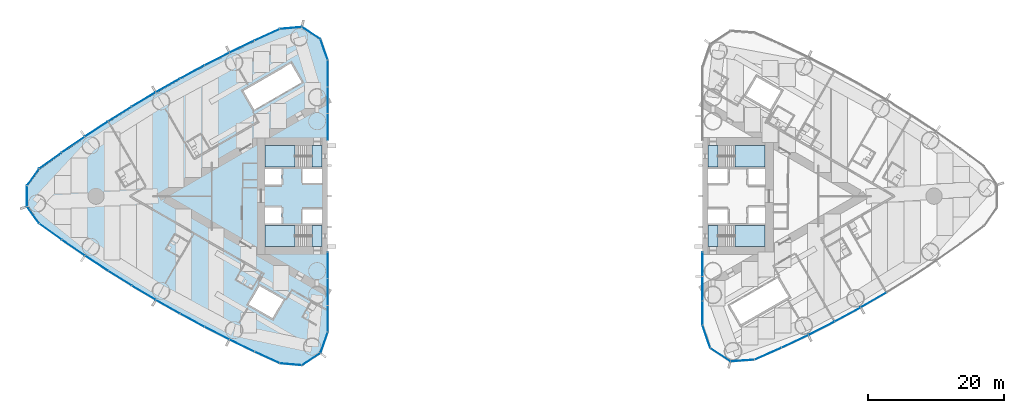
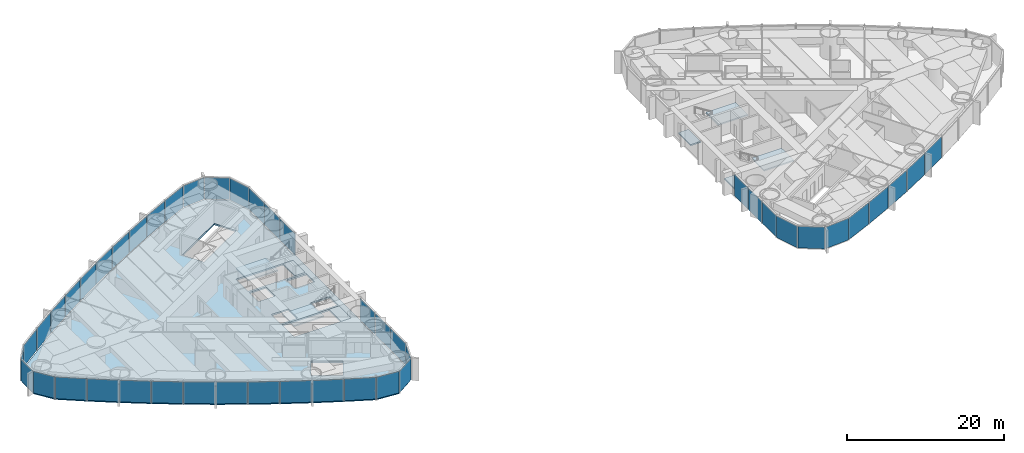
# One storey, part 9 of 19: 46 plates, 9 slabs, 6 elements without a shape of their own.
"""IFC4 building model written with IfcOpenShell, lengths in metres."""

from ifc_helpers import new_model, si_unit, direction, frame, origin, origin_2d, place, context, subcontext, project, spatial, polyline, rectangle, outline, extrude, material, layer, layer_set, type_object, element, aggregate, save


model = new_model("IFC4")

# Units and contexts
model_context = context("Model", 3, precision=1e-05, world=origin(), true_north=direction((0.0, 1.0)))
body_context = subcontext(model_context, "Body", "Model", "MODEL_VIEW")
ifc_project = project(units=[si_unit("LENGTHUNIT", "METRE"), si_unit("AREAUNIT", "SQUARE_METRE"), si_unit("VOLUMEUNIT", "CUBIC_METRE"), si_unit("PLANEANGLEUNIT", "RADIAN"), si_unit("MASSUNIT", "GRAM", prefix="KILO")], contexts=[model_context])

# Site, building, storey
site_placement = place(None, origin())
site = spatial("IfcSite", under=ifc_project, at=site_placement, CompositionType="ELEMENT")
building_placement = place(site_placement, origin())
building = spatial("IfcBuilding", under=site, at=building_placement, Name="Lancet Gate Hotel", CompositionType="ELEMENT")
storey_placement = place(building_placement, frame((0.0, 0.0, 122.10009765625)))
storey = spatial("IfcBuildingStorey", under=building, at=storey_placement, Name="L32", CompositionType="ELEMENT", Elevation=122.10009765625)

# Slab
ifc_material_1 = material(Name="Concrete C50/60", Category="concrete")
ifc_layer_1 = layer(ifc_material_1, 0.25)
ifc_layer_set_1 = layer_set([ifc_layer_1], Name="Floor slab 250")
slab_type_1 = type_object("IfcSlabType", Name="Floor slab 250", PredefinedType="FLOOR", material=ifc_layer_set_1)
slab_1_placement = place(storey_placement, frame((0.0, 0.0, -0.25)))
element("IfcSlab", 1, at=slab_1_placement, inside=storey, type_object=slab_type_1, Name="T1 L32 floor slab", PredefinedType="FLOOR", context=body_context, shape_type="SweptSolid", body=[
    extrude(outline(polyline([(-27.5, 8.60009765625), (-27.6201171875, 8.60009765625), (-27.6201171875, 19.950927734375), (-28.65966796875, 22.970947265625), (-31.320068359375, 24.69921875), (-34.5009765625, 24.421630859375), (-38.201416015625, 22.727783203125), (-41.8818359375, 20.946044921875), (-45.523193359375, 19.085693359375), (-49.12353515625, 17.147216796875), (-52.681396484375, 15.131591796875), (-56.195068359375, 13.0400390625), (-59.662841796875, 10.873291015625), (-63.0830078125, 8.63232421875), (-66.454345703125, 6.318115234375), (-69.76025390625, 3.94287109375), (-71.523193359375, 1.49755859375), (-71.523193359375, -1.49755859375), (-69.76025390625, -3.94287109375), (-66.454345703125, -6.318115234375), (-63.0830078125, -8.63232421875), (-59.662841796875, -10.873291015625), (-56.195068359375, -13.0400390625), (-52.681396484375, -15.131591796875), (-49.12353515625, -17.147216796875), (-45.523193359375, -19.085693359375), (-41.8818359375, -20.946044921875), (-38.201416015625, -22.727783203125), (-34.5009765625, -24.421630859375), (-31.320068359375, -24.69921875), (-28.65966796875, -22.970947265625), (-27.6201171875, -19.950927734375), (-27.6201171875, -8.60009765625), (-27.5, -8.60009765625), (-27.5, -8.199951171875), (-27.5, 8.199951171875), (-27.5, 8.60009765625)]), holes=[polyline([(-36.699951171875, 7.39990234375), (-36.699951171875, 4.300048828125), (-28.300048828125, 4.300048828125), (-28.300048828125, 7.39990234375), (-36.699951171875, 7.39990234375)]), polyline([(-28.300048828125, 4.0), (-31.199951171875, 4.0), (-31.199951171875, 1.89990234375), (-28.300048828125, 1.89990234375), (-28.300048828125, 4.0)]), polyline([(-34.25, 4.0), (-36.699951171875, 4.0), (-36.699951171875, 1.64990234375), (-34.25, 1.64990234375), (-34.25, 4.0)]), polyline([(-36.699951171875, -1.64990234375), (-36.699951171875, -4.0), (-34.25, -4.0), (-34.25, -1.64990234375), (-36.699951171875, -1.64990234375)]), polyline([(-28.300048828125, -1.89990234375), (-31.199951171875, -1.89990234375), (-31.199951171875, -4.0), (-28.300048828125, -4.0), (-28.300048828125, -1.89990234375)]), polyline([(-28.300048828125, -4.300048828125), (-36.699951171875, -4.300048828125), (-36.699951171875, -7.39990234375), (-28.300048828125, -7.39990234375), (-28.300048828125, -4.300048828125)]), polyline([(-31.2900390625, 16.73095703125), (-32.889892578125, 19.501953125), (-39.904052734375, 15.451904296875), (-38.303955078125, 12.680908203125), (-31.2900390625, 16.73095703125)]), polyline([(-33.97412109375, -15.180908203125), (-37.52490234375, -13.131103515625), (-39.125, -15.902099609375), (-35.573974609375, -17.951904296875), (-33.97412109375, -15.180908203125)])]), origin(), (0.0, 0.0, 1.0), 0.25),
])

# Stair, slabs
ifc_material_2 = material(Name="Exit stair 20 risers 1500")
stair_type = type_object("IfcStairType", Name="Exit stair 20 risers 1500", PredefinedType="HALF_TURN_STAIR", material=ifc_material_2)
stair_1_placement = place(storey_placement, origin())
stair_1 = element("IfcStair", 2, at=stair_1_placement, inside=storey, type_object=stair_type, Name="T1 stair 1 L32", PredefinedType="HALF_TURN_STAIR")
ifc_material_3 = material(Name="Concrete C40/50", Category="concrete")
ifc_layer_2 = layer(ifc_material_3, 0.199951171875)
ifc_layer_set_2 = layer_set([ifc_layer_2], Name="Stair landing 200")
slab_type_2 = type_object("IfcSlabType", Name="Stair landing 200", PredefinedType="LANDING", material=ifc_layer_set_2)
slab_2_placement = place(storey_placement, frame((0.0, 0.0, -0.2001953125)))
slab_2 = element("IfcSlab", 3, at=slab_2_placement, type_object=slab_type_2, Name="ST1 landing 1", PredefinedType="LANDING", context=body_context, shape_type="SweptSolid", body=[
    extrude(outline(polyline([(-28.300048828125, 7.39990234375), (-29.800048828125, 7.39990234375), (-29.800048828125, 4.300048828125), (-28.300048828125, 4.300048828125), (-28.300048828125, 7.39990234375)])), origin(), (0.0, 0.0, 1.0), 0.2001953125),
])
slab_3_placement = place(storey_placement, frame((0.0, 0.0, 1.5498046875)))
slab_3 = element("IfcSlab", 4, at=slab_3_placement, type_object=slab_type_2, Name="ST1 landing 2", PredefinedType="LANDING", context=body_context, shape_type="SweptSolid", body=[
    extrude(outline(polyline([(-32.320068359375, 7.39990234375), (-36.699951171875, 7.39990234375), (-36.699951171875, 4.300048828125), (-32.320068359375, 4.300048828125), (-32.320068359375, 7.39990234375)])), origin(), (0.0, 0.0, 1.0), 0.2001953125),
])
aggregate(stair_1, [slab_2, slab_3])

stair_2_placement = place(storey_placement, origin())
stair_2 = element("IfcStair", 5, at=stair_2_placement, inside=storey, type_object=stair_type, Name="T1 stair 2 L32", PredefinedType="HALF_TURN_STAIR")
slab_4_placement = place(storey_placement, frame((0.0, 0.0, -0.2001953125)))
slab_4 = element("IfcSlab", 6, at=slab_4_placement, type_object=slab_type_2, Name="ST2 landing 1", PredefinedType="LANDING", context=body_context, shape_type="SweptSolid", body=[
    extrude(outline(polyline([(-28.300048828125, -4.300048828125), (-29.800048828125, -4.300048828125), (-29.800048828125, -7.39990234375), (-28.300048828125, -7.39990234375), (-28.300048828125, -4.300048828125)])), origin(), (0.0, 0.0, 1.0), 0.2001953125),
])
slab_5_placement = place(storey_placement, frame((0.0, 0.0, 1.5498046875)))
slab_5 = element("IfcSlab", 7, at=slab_5_placement, type_object=slab_type_2, Name="ST2 landing 2", PredefinedType="LANDING", context=body_context, shape_type="SweptSolid", body=[
    extrude(outline(polyline([(-32.320068359375, -4.300048828125), (-36.699951171875, -4.300048828125), (-36.699951171875, -7.39990234375), (-32.320068359375, -7.39990234375), (-32.320068359375, -4.300048828125)])), origin(), (0.0, 0.0, 1.0), 0.2001953125),
])
aggregate(stair_2, [slab_4, slab_5])

stair_3_placement = place(storey_placement, origin())
stair_3 = element("IfcStair", 8, at=stair_3_placement, inside=storey, type_object=stair_type, Name="T2 stair 1 L32", PredefinedType="HALF_TURN_STAIR")
slab_6_placement = place(storey_placement, frame((0.0, 0.0, -0.2001953125)))
slab_6 = element("IfcSlab", 9, at=slab_6_placement, type_object=slab_type_2, Name="ST3 landing 1", PredefinedType="LANDING", context=body_context, shape_type="SweptSolid", body=[
    extrude(outline(polyline([(28.300048828125, -7.39990234375), (29.800048828125, -7.39990234375), (29.800048828125, -4.300048828125), (28.300048828125, -4.300048828125), (28.300048828125, -7.39990234375)])), origin(), (0.0, 0.0, 1.0), 0.2001953125),
])
slab_7_placement = place(storey_placement, frame((0.0, 0.0, 1.5498046875)))
slab_7 = element("IfcSlab", 10, at=slab_7_placement, type_object=slab_type_2, Name="ST3 landing 2", PredefinedType="LANDING", context=body_context, shape_type="SweptSolid", body=[
    extrude(outline(polyline([(32.320068359375, -7.39990234375), (36.699951171875, -7.39990234375), (36.699951171875, -4.300048828125), (32.320068359375, -4.300048828125), (32.320068359375, -7.39990234375)])), origin(), (0.0, 0.0, 1.0), 0.2001953125),
])
aggregate(stair_3, [slab_6, slab_7])

stair_4_placement = place(storey_placement, origin())
stair_4 = element("IfcStair", 11, at=stair_4_placement, inside=storey, type_object=stair_type, Name="T2 stair 2 L32", PredefinedType="HALF_TURN_STAIR")
slab_8_placement = place(storey_placement, frame((0.0, 0.0, -0.2001953125)))
slab_8 = element("IfcSlab", 12, at=slab_8_placement, type_object=slab_type_2, Name="ST4 landing 1", PredefinedType="LANDING", context=body_context, shape_type="SweptSolid", body=[
    extrude(outline(polyline([(28.300048828125, 4.300048828125), (29.800048828125, 4.300048828125), (29.800048828125, 7.39990234375), (28.300048828125, 7.39990234375), (28.300048828125, 4.300048828125)])), origin(), (0.0, 0.0, 1.0), 0.2001953125),
])
slab_9_placement = place(storey_placement, frame((0.0, 0.0, 1.5498046875)))
slab_9 = element("IfcSlab", 13, at=slab_9_placement, type_object=slab_type_2, Name="ST4 landing 2", PredefinedType="LANDING", context=body_context, shape_type="SweptSolid", body=[
    extrude(outline(polyline([(32.320068359375, 4.300048828125), (36.699951171875, 4.300048828125), (36.699951171875, 7.39990234375), (32.320068359375, 7.39990234375), (32.320068359375, 4.300048828125)])), origin(), (0.0, 0.0, 1.0), 0.2001953125),
])
aggregate(stair_4, [slab_8, slab_9])

# Curtain wall, plates
ifc_material_4 = material(Name="Aluminium curtain wall", Category="aluminium")
curtain_wall_type = type_object("IfcCurtainWallType", Name="Tower unitised curtain wall", PredefinedType="USERDEFINED", material=ifc_material_4)
curtain_wall_1_placement = place(storey_placement, origin())
curtain_wall_1 = element("IfcCurtainWall", 14, at=curtain_wall_1_placement, inside=storey, type_object=curtain_wall_type, Name="T1 L32 curtain wall 1", ObjectType="UNITISED CURTAIN WALL", PredefinedType="USERDEFINED")
ifc_material_5 = material(Name="Glass double glazed unit 8-16-6", Category="glass")
ifc_layer_3 = layer(ifc_material_5, 0.030029296875)
ifc_layer_set_3 = layer_set([ifc_layer_3], Name="Vision panel double glazed")
plate_type = type_object("IfcPlateType", Name="Vision panel double glazed", PredefinedType="CURTAIN_PANEL", material=ifc_layer_set_3)
plate_1_placement = place(storey_placement, frame((-27.5, 10.161865234375, -0.000244140625), z_axis=(0.0, 0.0, 1.0), x_axis=(0.0, 1.0, 0.0)))
plate_1 = element("IfcPlate", 15, at=plate_1_placement, type_object=plate_type, Name="T1 L32 curtain wall 1 panel 1", PredefinedType="CURTAIN_PANEL", context=body_context, shape_type="SweptSolid", body=[
    extrude(rectangle(XDim=3.858642578125, YDim=0.030029296875, at=origin_2d()), origin(), (0.0, 0.0, 1.0), 3.35009765625),
])
plate_2_placement = place(storey_placement, frame((-27.5, 14.08544921875, -0.000244140625), z_axis=(0.0, 0.0, 1.0), x_axis=(0.0, 1.0, 0.0)))
plate_2 = element("IfcPlate", 16, at=plate_2_placement, type_object=plate_type, Name="T1 L32 curtain wall 1 panel 2", PredefinedType="CURTAIN_PANEL", context=body_context, shape_type="SweptSolid", body=[
    extrude(rectangle(XDim=3.858642578125, YDim=0.030029296875, at=origin_2d()), origin(), (0.0, 0.0, 1.0), 3.35009765625),
])
plate_3_placement = place(storey_placement, frame((-27.5, 18.00927734375, -0.000244140625), z_axis=(0.0, 0.0, 1.0), x_axis=(0.0, 1.0, 0.0)))
plate_3 = element("IfcPlate", 17, at=plate_3_placement, type_object=plate_type, Name="T1 L32 curtain wall 1 panel 3", PredefinedType="CURTAIN_PANEL", context=body_context, shape_type="SweptSolid", body=[
    extrude(rectangle(XDim=3.858642578125, YDim=0.030029296875, at=origin_2d()), origin(), (0.0, 0.0, 1.0), 3.35009765625),
])
plate_4_placement = place(storey_placement, frame((-28.02978515625, 21.510009765625, -0.000244140625), z_axis=(0.0, 0.0, 1.0), x_axis=(-0.325515820766, 0.945536593914, 0.0)))
plate_4 = element("IfcPlate", 18, at=plate_4_placement, type_object=plate_type, Name="T1 L32 curtain wall 1 panel 4", PredefinedType="CURTAIN_PANEL", context=body_context, shape_type="SweptSolid", body=[
    extrude(rectangle(XDim=3.190185546875, YDim=0.030029296875, at=origin_2d()), origin(), (0.0, 0.0, 1.0), 3.35009765625),
])
plate_5_placement = place(storey_placement, frame((-29.924560546875, 23.935546875, -0.000244140625), z_axis=(0.0, 0.0, 1.0), x_axis=(-0.838580121261, 0.544778285385, 0.0)))
plate_5 = element("IfcPlate", 19, at=plate_5_placement, type_object=plate_type, Name="T1 L32 curtain wall 1 panel 5", PredefinedType="CURTAIN_PANEL", context=body_context, shape_type="SweptSolid", body=[
    extrude(rectangle(XDim=3.190185546875, YDim=0.030029296875, at=origin_2d()), origin(), (0.0, 0.0, 1.0), 3.35009765625),
])
plate_6_placement = place(storey_placement, frame((-32.91064453125, 24.680908203125, -0.000244140625), z_axis=(0.0, 0.0, 1.0), x_axis=(-0.996218779711, -0.086880049207, 0.0)))
plate_6 = element("IfcPlate", 20, at=plate_6_placement, type_object=plate_type, Name="T1 L32 curtain wall 1 panel 6", PredefinedType="CURTAIN_PANEL", context=body_context, shape_type="SweptSolid", body=[
    extrude(rectangle(XDim=3.190185546875, YDim=0.030029296875, at=origin_2d()), origin(), (0.0, 0.0, 1.0), 3.35009765625),
])
plate_7_placement = place(storey_placement, frame((-36.392333984375, 23.68798828125, -0.000244140625), z_axis=(0.0, 0.0, 1.0), x_axis=(-0.909252721243, -0.416244506166, 0.0)))
plate_7 = element("IfcPlate", 21, at=plate_7_placement, type_object=plate_type, Name="T1 L32 curtain wall 1 panel 7", PredefinedType="CURTAIN_PANEL", context=body_context, shape_type="SweptSolid", body=[
    extrude(rectangle(XDim=4.026611328125, YDim=0.030029296875, at=origin_2d()), origin(), (0.0, 0.0, 1.0), 3.35009765625),
])
plate_8_placement = place(storey_placement, frame((-40.093994140625, 21.945068359375, -0.000244140625), z_axis=(0.0, 0.0, 1.0), x_axis=(-0.900081672047, -0.435721222395, 0.0)))
plate_8 = element("IfcPlate", 22, at=plate_8_placement, type_object=plate_type, Name="T1 L32 curtain wall 1 panel 8", PredefinedType="CURTAIN_PANEL", context=body_context, shape_type="SweptSolid", body=[
    extrude(rectangle(XDim=4.026611328125, YDim=0.030029296875, at=origin_2d()), origin(), (0.0, 0.0, 1.0), 3.35009765625),
])
plate_9_placement = place(storey_placement, frame((-43.757080078125, 20.122802734375, -0.000244140625), z_axis=(0.0, 0.0, 1.0), x_axis=(-0.890493479451, -0.45499600334, 0.0)))
plate_9 = element("IfcPlate", 23, at=plate_9_placement, type_object=plate_type, Name="T1 L32 curtain wall 1 panel 9", PredefinedType="CURTAIN_PANEL", context=body_context, shape_type="SweptSolid", body=[
    extrude(rectangle(XDim=4.026611328125, YDim=0.030029296875, at=origin_2d()), origin(), (0.0, 0.0, 1.0), 3.35009765625),
])
plate_10_placement = place(storey_placement, frame((-47.380126953125, 18.221923828125, -0.000244140625), z_axis=(0.0, 0.0, 1.0), x_axis=(-0.880492587094, -0.474059916121, 0.0)))
plate_10 = element("IfcPlate", 24, at=plate_10_placement, type_object=plate_type, Name="T1 L32 curtain wall 1 panel 10", PredefinedType="CURTAIN_PANEL", context=body_context, shape_type="SweptSolid", body=[
    extrude(rectangle(XDim=4.026611328125, YDim=0.030029296875, at=origin_2d()), origin(), (0.0, 0.0, 1.0), 3.35009765625),
])
plate_11_placement = place(storey_placement, frame((-50.961669921875, 16.243896484375, -0.000244140625), z_axis=(0.0, 0.0, 1.0), x_axis=(-0.870083629903, -0.49290412554, 0.0)))
plate_11 = element("IfcPlate", 25, at=plate_11_placement, type_object=plate_type, Name="T1 L32 curtain wall 1 panel 11", PredefinedType="CURTAIN_PANEL", context=body_context, shape_type="SweptSolid", body=[
    extrude(rectangle(XDim=4.026611328125, YDim=0.030029296875, at=origin_2d()), origin(), (0.0, 0.0, 1.0), 3.35009765625),
])
plate_12_placement = place(storey_placement, frame((-54.49951171875, 14.18896484375, -0.000244140625), z_axis=(0.0, 0.0, 1.0), x_axis=(-0.859271431916, -0.511519898238, 0.0)))
plate_12 = element("IfcPlate", 26, at=plate_12_placement, type_object=plate_type, Name="T1 L32 curtain wall 1 panel 12", PredefinedType="CURTAIN_PANEL", context=body_context, shape_type="SweptSolid", body=[
    extrude(rectangle(XDim=4.026611328125, YDim=0.030029296875, at=origin_2d()), origin(), (0.0, 0.0, 1.0), 3.35009765625),
])
plate_13_placement = place(storey_placement, frame((-57.992431640625, 12.058349609375, -0.000244140625), z_axis=(0.0, 0.0, 1.0), x_axis=(-0.848061004052, -0.529898606722, 0.0)))
plate_13 = element("IfcPlate", 27, at=plate_13_placement, type_object=plate_type, Name="T1 L32 curtain wall 1 panel 13", PredefinedType="CURTAIN_PANEL", context=body_context, shape_type="SweptSolid", body=[
    extrude(rectangle(XDim=4.026611328125, YDim=0.030029296875, at=origin_2d()), origin(), (0.0, 0.0, 1.0), 3.35009765625),
])
plate_14_placement = place(storey_placement, frame((-61.438720703125, 9.85302734375, -0.000244140625), z_axis=(0.0, 0.0, 1.0), x_axis=(-0.836457541791, -0.54803173337, 0.0)))
plate_14 = element("IfcPlate", 28, at=plate_14_placement, type_object=plate_type, Name="T1 L32 curtain wall 1 panel 14", PredefinedType="CURTAIN_PANEL", context=body_context, shape_type="SweptSolid", body=[
    extrude(rectangle(XDim=4.026611328125, YDim=0.030029296875, at=origin_2d()), origin(), (0.0, 0.0, 1.0), 3.35009765625),
])
plate_15_placement = place(storey_placement, frame((-64.836669921875, 7.57421875, -0.000244140625), z_axis=(0.0, 0.0, 1.0), x_axis=(-0.824466422775, -0.565910874357, 0.0)))
plate_15 = element("IfcPlate", 29, at=plate_15_placement, type_object=plate_type, Name="T1 L32 curtain wall 1 panel 15", PredefinedType="CURTAIN_PANEL", context=body_context, shape_type="SweptSolid", body=[
    extrude(rectangle(XDim=4.026611328125, YDim=0.030029296875, at=origin_2d()), origin(), (0.0, 0.0, 1.0), 3.35009765625),
])
plate_16_placement = place(storey_placement, frame((-68.184814453125, 5.22265625, -0.000244140625), z_axis=(0.0, 0.0, 1.0), x_axis=(-0.812093204276, -0.583527743615, 0.0)))
plate_16 = element("IfcPlate", 30, at=plate_16_placement, type_object=plate_type, Name="T1 L32 curtain wall 1 panel 16", PredefinedType="CURTAIN_PANEL", context=body_context, shape_type="SweptSolid", body=[
    extrude(rectangle(XDim=4.026611328125, YDim=0.030029296875, at=origin_2d()), origin(), (0.0, 0.0, 1.0), 3.35009765625),
])
plate_17_placement = place(storey_placement, frame((-70.74462890625, 2.782470703125, -0.000244140625), z_axis=(0.0, 0.0, 1.0), x_axis=(-0.584808645706, -0.811171281486, 0.0)))
plate_17 = element("IfcPlate", 31, at=plate_17_placement, type_object=plate_type, Name="T1 L32 curtain wall 1 panel 17", PredefinedType="CURTAIN_PANEL", context=body_context, shape_type="SweptSolid", body=[
    extrude(rectangle(XDim=3.0078125, YDim=0.030029296875, at=origin_2d()), origin(), (0.0, 0.0, 1.0), 3.35009765625),
])
plate_18_placement = place(storey_placement, frame((-71.64306640625, 0.0, -0.000244140625), z_axis=(0.0, 0.0, 1.0), x_axis=(0.0, -1.0, 0.0)))
plate_18 = element("IfcPlate", 32, at=plate_18_placement, type_object=plate_type, Name="T1 L32 curtain wall 1 panel 18", PredefinedType="CURTAIN_PANEL", context=body_context, shape_type="SweptSolid", body=[
    extrude(rectangle(XDim=3.0078125, YDim=0.030029296875, at=origin_2d()), origin(), (0.0, 0.0, 1.0), 3.35009765625),
])
plate_19_placement = place(storey_placement, frame((-70.74462890625, -2.782470703125, -0.000244140625), z_axis=(0.0, 0.0, 1.0), x_axis=(0.584808645706, -0.811171281486, 0.0)))
plate_19 = element("IfcPlate", 33, at=plate_19_placement, type_object=plate_type, Name="T1 L32 curtain wall 1 panel 19", PredefinedType="CURTAIN_PANEL", context=body_context, shape_type="SweptSolid", body=[
    extrude(rectangle(XDim=3.0078125, YDim=0.030029296875, at=origin_2d()), origin(), (0.0, 0.0, 1.0), 3.35009765625),
])
plate_20_placement = place(storey_placement, frame((-68.184814453125, -5.22265625, -0.000244140625), z_axis=(0.0, 0.0, 1.0), x_axis=(0.812093204276, -0.583527743615, 0.0)))
plate_20 = element("IfcPlate", 34, at=plate_20_placement, type_object=plate_type, Name="T1 L32 curtain wall 1 panel 20", PredefinedType="CURTAIN_PANEL", context=body_context, shape_type="SweptSolid", body=[
    extrude(rectangle(XDim=4.026611328125, YDim=0.030029296875, at=origin_2d()), origin(), (0.0, 0.0, 1.0), 3.35009765625),
])
plate_21_placement = place(storey_placement, frame((-64.836669921875, -7.57421875, -0.000244140625), z_axis=(0.0, 0.0, 1.0), x_axis=(0.824466422775, -0.565910874357, 0.0)))
plate_21 = element("IfcPlate", 35, at=plate_21_placement, type_object=plate_type, Name="T1 L32 curtain wall 1 panel 21", PredefinedType="CURTAIN_PANEL", context=body_context, shape_type="SweptSolid", body=[
    extrude(rectangle(XDim=4.026611328125, YDim=0.030029296875, at=origin_2d()), origin(), (0.0, 0.0, 1.0), 3.35009765625),
])
plate_22_placement = place(storey_placement, frame((-61.438720703125, -9.85302734375, -0.000244140625), z_axis=(0.0, 0.0, 1.0), x_axis=(0.836457541791, -0.54803173337, 0.0)))
plate_22 = element("IfcPlate", 36, at=plate_22_placement, type_object=plate_type, Name="T1 L32 curtain wall 1 panel 22", PredefinedType="CURTAIN_PANEL", context=body_context, shape_type="SweptSolid", body=[
    extrude(rectangle(XDim=4.026611328125, YDim=0.030029296875, at=origin_2d()), origin(), (0.0, 0.0, 1.0), 3.35009765625),
])
plate_23_placement = place(storey_placement, frame((-57.992431640625, -12.058349609375, -0.000244140625), z_axis=(0.0, 0.0, 1.0), x_axis=(0.848061004052, -0.529898606722, 0.0)))
plate_23 = element("IfcPlate", 37, at=plate_23_placement, type_object=plate_type, Name="T1 L32 curtain wall 1 panel 23", PredefinedType="CURTAIN_PANEL", context=body_context, shape_type="SweptSolid", body=[
    extrude(rectangle(XDim=4.026611328125, YDim=0.030029296875, at=origin_2d()), origin(), (0.0, 0.0, 1.0), 3.35009765625),
])
plate_24_placement = place(storey_placement, frame((-54.49951171875, -14.18896484375, -0.000244140625), z_axis=(0.0, 0.0, 1.0), x_axis=(0.859271431916, -0.511519898238, 0.0)))
plate_24 = element("IfcPlate", 38, at=plate_24_placement, type_object=plate_type, Name="T1 L32 curtain wall 1 panel 24", PredefinedType="CURTAIN_PANEL", context=body_context, shape_type="SweptSolid", body=[
    extrude(rectangle(XDim=4.026611328125, YDim=0.030029296875, at=origin_2d()), origin(), (0.0, 0.0, 1.0), 3.35009765625),
])
plate_25_placement = place(storey_placement, frame((-50.961669921875, -16.243896484375, -0.000244140625), z_axis=(0.0, 0.0, 1.0), x_axis=(0.870083629903, -0.49290412554, 0.0)))
plate_25 = element("IfcPlate", 39, at=plate_25_placement, type_object=plate_type, Name="T1 L32 curtain wall 1 panel 25", PredefinedType="CURTAIN_PANEL", context=body_context, shape_type="SweptSolid", body=[
    extrude(rectangle(XDim=4.026611328125, YDim=0.030029296875, at=origin_2d()), origin(), (0.0, 0.0, 1.0), 3.35009765625),
])
plate_26_placement = place(storey_placement, frame((-47.380126953125, -18.221923828125, -0.000244140625), z_axis=(0.0, 0.0, 1.0), x_axis=(0.880492587094, -0.474059916121, 0.0)))
plate_26 = element("IfcPlate", 40, at=plate_26_placement, type_object=plate_type, Name="T1 L32 curtain wall 1 panel 26", PredefinedType="CURTAIN_PANEL", context=body_context, shape_type="SweptSolid", body=[
    extrude(rectangle(XDim=4.026611328125, YDim=0.030029296875, at=origin_2d()), origin(), (0.0, 0.0, 1.0), 3.35009765625),
])
plate_27_placement = place(storey_placement, frame((-43.757080078125, -20.122802734375, -0.000244140625), z_axis=(0.0, 0.0, 1.0), x_axis=(0.890493479451, -0.45499600334, 0.0)))
plate_27 = element("IfcPlate", 41, at=plate_27_placement, type_object=plate_type, Name="T1 L32 curtain wall 1 panel 27", PredefinedType="CURTAIN_PANEL", context=body_context, shape_type="SweptSolid", body=[
    extrude(rectangle(XDim=4.026611328125, YDim=0.030029296875, at=origin_2d()), origin(), (0.0, 0.0, 1.0), 3.35009765625),
])
plate_28_placement = place(storey_placement, frame((-40.093994140625, -21.945068359375, -0.000244140625), z_axis=(0.0, 0.0, 1.0), x_axis=(0.900081672047, -0.435721222395, 0.0)))
plate_28 = element("IfcPlate", 42, at=plate_28_placement, type_object=plate_type, Name="T1 L32 curtain wall 1 panel 28", PredefinedType="CURTAIN_PANEL", context=body_context, shape_type="SweptSolid", body=[
    extrude(rectangle(XDim=4.026611328125, YDim=0.030029296875, at=origin_2d()), origin(), (0.0, 0.0, 1.0), 3.35009765625),
])
plate_29_placement = place(storey_placement, frame((-36.392333984375, -23.68798828125, -0.000244140625), z_axis=(0.0, 0.0, 1.0), x_axis=(0.909252721243, -0.416244506166, 0.0)))
plate_29 = element("IfcPlate", 43, at=plate_29_placement, type_object=plate_type, Name="T1 L32 curtain wall 1 panel 29", PredefinedType="CURTAIN_PANEL", context=body_context, shape_type="SweptSolid", body=[
    extrude(rectangle(XDim=4.026611328125, YDim=0.030029296875, at=origin_2d()), origin(), (0.0, 0.0, 1.0), 3.35009765625),
])
plate_30_placement = place(storey_placement, frame((-32.91064453125, -24.680908203125, -0.000244140625), z_axis=(0.0, 0.0, 1.0), x_axis=(0.996218779711, -0.086880049207, 0.0)))
plate_30 = element("IfcPlate", 44, at=plate_30_placement, type_object=plate_type, Name="T1 L32 curtain wall 1 panel 30", PredefinedType="CURTAIN_PANEL", context=body_context, shape_type="SweptSolid", body=[
    extrude(rectangle(XDim=3.190185546875, YDim=0.030029296875, at=origin_2d()), origin(), (0.0, 0.0, 1.0), 3.35009765625),
])
plate_31_placement = place(storey_placement, frame((-29.924560546875, -23.935546875, -0.000244140625), z_axis=(0.0, 0.0, 1.0), x_axis=(0.838580121261, 0.544778285385, 0.0)))
plate_31 = element("IfcPlate", 45, at=plate_31_placement, type_object=plate_type, Name="T1 L32 curtain wall 1 panel 31", PredefinedType="CURTAIN_PANEL", context=body_context, shape_type="SweptSolid", body=[
    extrude(rectangle(XDim=3.190185546875, YDim=0.030029296875, at=origin_2d()), origin(), (0.0, 0.0, 1.0), 3.35009765625),
])
plate_32_placement = place(storey_placement, frame((-28.02978515625, -21.510009765625, -0.000244140625), z_axis=(0.0, 0.0, 1.0), x_axis=(0.325515820766, 0.945536593914, 0.0)))
plate_32 = element("IfcPlate", 46, at=plate_32_placement, type_object=plate_type, Name="T1 L32 curtain wall 1 panel 32", PredefinedType="CURTAIN_PANEL", context=body_context, shape_type="SweptSolid", body=[
    extrude(rectangle(XDim=3.190185546875, YDim=0.030029296875, at=origin_2d()), origin(), (0.0, 0.0, 1.0), 3.35009765625),
])
plate_33_placement = place(storey_placement, frame((-27.5, -18.00927734375, -0.000244140625), z_axis=(0.0, 0.0, 1.0), x_axis=(0.0, 1.0, 0.0)))
plate_33 = element("IfcPlate", 47, at=plate_33_placement, type_object=plate_type, Name="T1 L32 curtain wall 1 panel 33", PredefinedType="CURTAIN_PANEL", context=body_context, shape_type="SweptSolid", body=[
    extrude(rectangle(XDim=3.858642578125, YDim=0.030029296875, at=origin_2d()), origin(), (0.0, 0.0, 1.0), 3.35009765625),
])
plate_34_placement = place(storey_placement, frame((-27.5, -14.08544921875, -0.000244140625), z_axis=(0.0, 0.0, 1.0), x_axis=(0.0, 1.0, 0.0)))
plate_34 = element("IfcPlate", 48, at=plate_34_placement, type_object=plate_type, Name="T1 L32 curtain wall 1 panel 34", PredefinedType="CURTAIN_PANEL", context=body_context, shape_type="SweptSolid", body=[
    extrude(rectangle(XDim=3.858642578125, YDim=0.030029296875, at=origin_2d()), origin(), (0.0, 0.0, 1.0), 3.35009765625),
])
plate_35_placement = place(storey_placement, frame((-27.5, -10.161865234375, -0.000244140625), z_axis=(0.0, 0.0, 1.0), x_axis=(0.0, 1.0, 0.0)))
plate_35 = element("IfcPlate", 49, at=plate_35_placement, type_object=plate_type, Name="T1 L32 curtain wall 1 panel 35", PredefinedType="CURTAIN_PANEL", context=body_context, shape_type="SweptSolid", body=[
    extrude(rectangle(XDim=3.858642578125, YDim=0.030029296875, at=origin_2d()), origin(), (0.0, 0.0, 1.0), 3.35009765625),
])
aggregate(curtain_wall_1, [plate_1, plate_2, plate_3, plate_4, plate_5, plate_6, plate_7, plate_8, plate_9, plate_10, plate_11, plate_12, plate_13, plate_14, plate_15, plate_16, plate_17, plate_18, plate_19, plate_20, plate_21, plate_22, plate_23, plate_24, plate_25, plate_26, plate_27, plate_28, plate_29, plate_30, plate_31, plate_32, plate_33, plate_34, plate_35])

curtain_wall_2_placement = place(storey_placement, origin())
curtain_wall_2 = element("IfcCurtainWall", 50, at=curtain_wall_2_placement, inside=storey, type_object=curtain_wall_type, Name="T2 L32 curtain wall 1", ObjectType="UNITISED CURTAIN WALL", PredefinedType="USERDEFINED")
plate_36_placement = place(storey_placement, frame((27.5, -9.990478515625, -0.000244140625), z_axis=(0.0, 0.0, 1.0), x_axis=(0.0, -1.0, 0.0)))
plate_36 = element("IfcPlate", 51, at=plate_36_placement, type_object=plate_type, Name="T2 L32 curtain wall 1 panel 1", PredefinedType="CURTAIN_PANEL", context=body_context, shape_type="SweptSolid", body=[
    extrude(rectangle(XDim=3.515869140625, YDim=0.030029296875, at=origin_2d()), origin(), (0.0, 0.0, 1.0), 3.35009765625),
])
plate_37_placement = place(storey_placement, frame((27.5, -13.571533203125, -0.000244140625), z_axis=(0.0, 0.0, 1.0), x_axis=(0.0, -1.0, 0.0)))
plate_37 = element("IfcPlate", 52, at=plate_37_placement, type_object=plate_type, Name="T2 L32 curtain wall 1 panel 2", PredefinedType="CURTAIN_PANEL", context=body_context, shape_type="SweptSolid", body=[
    extrude(rectangle(XDim=3.515869140625, YDim=0.030029296875, at=origin_2d()), origin(), (0.0, 0.0, 1.0), 3.35009765625),
])
plate_38_placement = place(storey_placement, frame((27.5, -17.15234375, -0.000244140625), z_axis=(0.0, 0.0, 1.0), x_axis=(0.0, -1.0, 0.0)))
plate_38 = element("IfcPlate", 53, at=plate_38_placement, type_object=plate_type, Name="T2 L32 curtain wall 1 panel 3", PredefinedType="CURTAIN_PANEL", context=body_context, shape_type="SweptSolid", body=[
    extrude(rectangle(XDim=3.515869140625, YDim=0.030029296875, at=origin_2d()), origin(), (0.0, 0.0, 1.0), 3.35009765625),
])
plate_39_placement = place(storey_placement, frame((28.072265625, -20.622314453125, -0.000244140625), z_axis=(0.0, 0.0, 1.0), x_axis=(0.32257568891, -0.946543673015, 0.0)))
plate_39 = element("IfcPlate", 54, at=plate_39_placement, type_object=plate_type, Name="T2 L32 curtain wall 1 panel 4", PredefinedType="CURTAIN_PANEL", context=body_context, shape_type="SweptSolid", body=[
    extrude(rectangle(XDim=3.4833984375, YDim=0.030029296875, at=origin_2d()), origin(), (0.0, 0.0, 1.0), 3.35009765625),
])
plate_40_placement = place(storey_placement, frame((30.123291015625, -23.281982421875, -0.000244140625), z_axis=(0.0, 0.0, 1.0), x_axis=(0.833464516611, -0.552572981198, 0.0)))
plate_40 = element("IfcPlate", 55, at=plate_40_placement, type_object=plate_type, Name="T2 L32 curtain wall 1 panel 5", PredefinedType="CURTAIN_PANEL", context=body_context, shape_type="SweptSolid", body=[
    extrude(rectangle(XDim=3.4833984375, YDim=0.030029296875, at=origin_2d()), origin(), (0.0, 0.0, 1.0), 3.35009765625),
])
plate_41_placement = place(storey_placement, frame((33.37158203125, -24.1357421875, -0.000244140625), z_axis=(0.0, 0.0, 1.0), x_axis=(0.997448492935, 0.07138980278, 0.0)))
plate_41 = element("IfcPlate", 56, at=plate_41_placement, type_object=plate_type, Name="T2 L32 curtain wall 1 panel 6", PredefinedType="CURTAIN_PANEL", context=body_context, shape_type="SweptSolid", body=[
    extrude(rectangle(XDim=3.4833984375, YDim=0.030029296875, at=origin_2d()), origin(), (0.0, 0.0, 1.0), 3.35009765625),
])
plate_42_placement = place(storey_placement, frame((37.13134765625, -23.13427734375, -0.000244140625), z_axis=(0.0, 0.0, 1.0), x_axis=(0.915478658759, 0.40236653111, 0.0)))
plate_42 = element("IfcPlate", 57, at=plate_42_placement, type_object=plate_type, Name="T2 L32 curtain wall 1 panel 7", PredefinedType="CURTAIN_PANEL", context=body_context, shape_type="SweptSolid", body=[
    extrude(rectangle(XDim=4.2822265625, YDim=0.030029296875, at=origin_2d()), origin(), (0.0, 0.0, 1.0), 3.35009765625),
])
plate_43_placement = place(storey_placement, frame((41.08544921875, -21.3291015625, -0.000244140625), z_axis=(0.0, 0.0, 1.0), x_axis=(0.903683440096, 0.428201167789, 0.0)))
plate_43 = element("IfcPlate", 58, at=plate_43_placement, type_object=plate_type, Name="T2 L32 curtain wall 1 panel 8", PredefinedType="CURTAIN_PANEL", context=body_context, shape_type="SweptSolid", body=[
    extrude(rectangle(XDim=4.2822265625, YDim=0.030029296875, at=origin_2d()), origin(), (0.0, 0.0, 1.0), 3.35009765625),
])
plate_44_placement = place(storey_placement, frame((44.98681640625, -19.412109375, -0.000244140625), z_axis=(0.0, 0.0, 1.0), x_axis=(0.891159350462, 0.453690436403, 0.0)))
plate_44 = element("IfcPlate", 59, at=plate_44_placement, type_object=plate_type, Name="T2 L32 curtain wall 1 panel 9", PredefinedType="CURTAIN_PANEL", context=body_context, shape_type="SweptSolid", body=[
    extrude(rectangle(XDim=4.2822265625, YDim=0.030029296875, at=origin_2d()), origin(), (0.0, 0.0, 1.0), 3.35009765625),
])
plate_45_placement = place(storey_placement, frame((48.832275390625, -17.38525390625, -0.000244140625), z_axis=(0.0, 0.0, 1.0), x_axis=(0.877916491224, 0.478813778454, 0.0)))
plate_45 = element("IfcPlate", 60, at=plate_45_placement, type_object=plate_type, Name="T2 L32 curtain wall 1 panel 10", PredefinedType="CURTAIN_PANEL", context=body_context, shape_type="SweptSolid", body=[
    extrude(rectangle(XDim=4.2822265625, YDim=0.030029296875, at=origin_2d()), origin(), (0.0, 0.0, 1.0), 3.35009765625),
])
plate_46_placement = place(storey_placement, frame((52.618408203125, -15.249755859375, -0.000244140625), z_axis=(0.0, 0.0, 1.0), x_axis=(0.863965543499, 0.503550930538, 0.0)))
plate_46 = element("IfcPlate", 61, at=plate_46_placement, type_object=plate_type, Name="T2 L32 curtain wall 1 panel 11", PredefinedType="CURTAIN_PANEL", context=body_context, shape_type="SweptSolid", body=[
    extrude(rectangle(XDim=4.2822265625, YDim=0.030029296875, at=origin_2d()), origin(), (0.0, 0.0, 1.0), 3.35009765625),
])
aggregate(curtain_wall_2, [plate_36, plate_37, plate_38, plate_39, plate_40, plate_41, plate_42, plate_43, plate_44, plate_45, plate_46])

save(model, "model.ifc")
